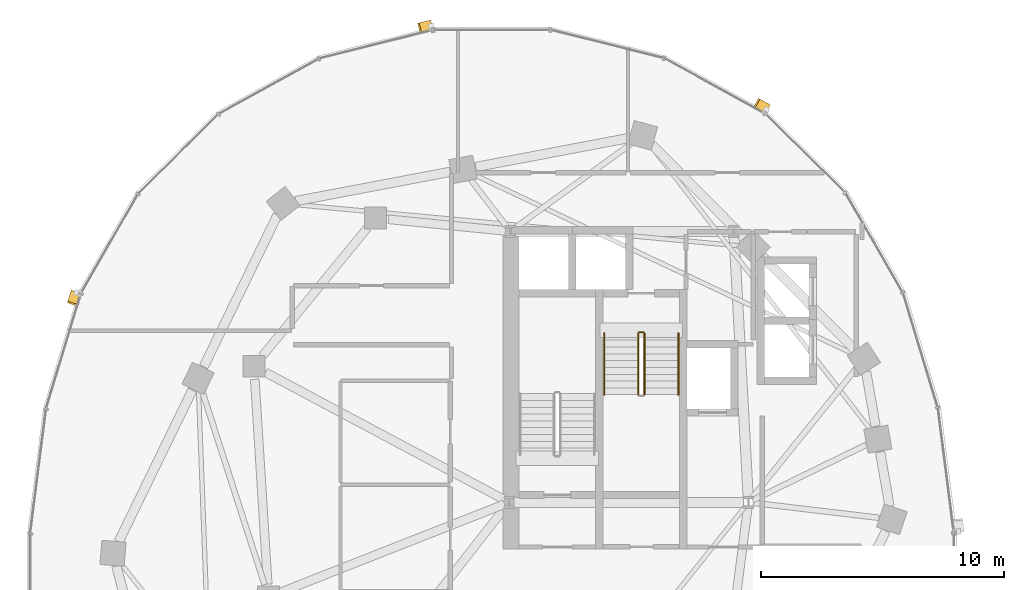
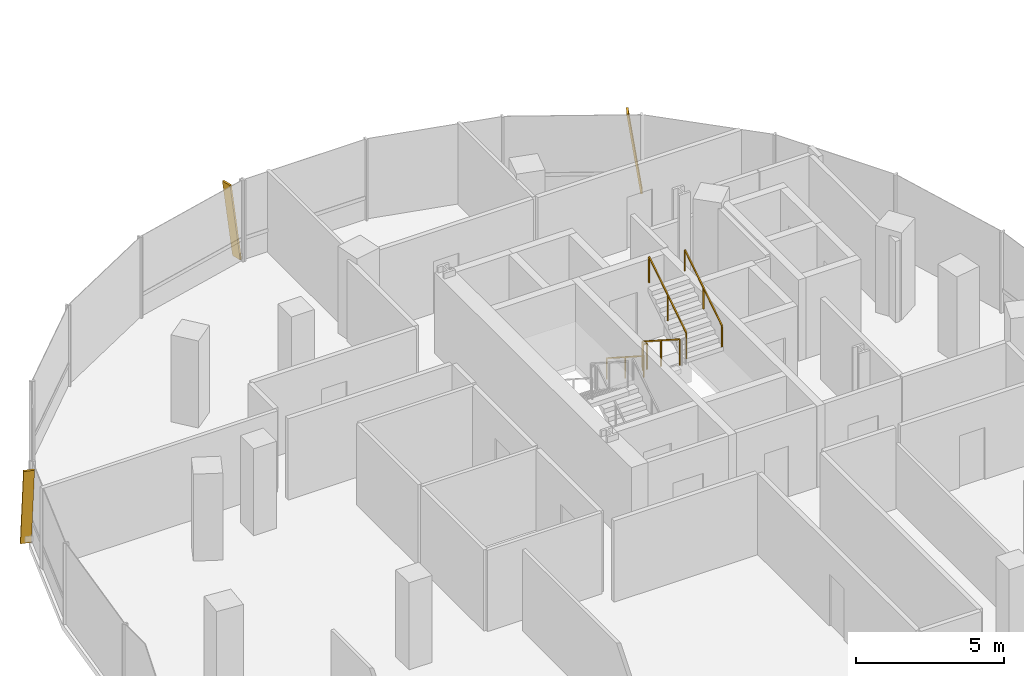
# One storey, part 20 of 22: 5 railings, 3 shading devices.
"""IFC4 building model written with IfcOpenShell, lengths in metres."""

from ifc_helpers import new_model, si_unit, direction, frame, origin, origin_2d, place, context, subcontext, project, spatial, rectangle, extrude, material, material_profile, profile_set, type_object, element, save


model = new_model("IFC4")

# Units and contexts
model_context = context("Model", 3, precision=1e-05, world=origin(), true_north=direction((0.0, 1.0)))
body_context = subcontext(model_context, "Body", "Model", "MODEL_VIEW")
ifc_project = project(units=[si_unit("LENGTHUNIT", "METRE"), si_unit("AREAUNIT", "SQUARE_METRE"), si_unit("VOLUMEUNIT", "CUBIC_METRE"), si_unit("PLANEANGLEUNIT", "RADIAN"), si_unit("MASSUNIT", "GRAM", prefix="KILO"), si_unit("THERMODYNAMICTEMPERATUREUNIT", "KELVIN"), si_unit("POWERUNIT", "WATT")], contexts=[model_context])

# Site, building, storey
site_placement = place(None, origin())
site = spatial("IfcSite", under=ifc_project, at=site_placement, CompositionType="ELEMENT")
building_placement = place(site_placement, origin())
building = spatial("IfcBuilding", under=site, at=building_placement, Name="Cundina Bronze Exchange", CompositionType="ELEMENT")
storey_placement = place(building_placement, frame((0.0, 0.0, 136.800048828125)))
storey = spatial("IfcBuildingStorey", under=building, at=storey_placement, Name="L35", CompositionType="ELEMENT", Elevation=136.800048828125)

# Railings
ifc_material_1 = material(Name="Steel ASTM A36 Painted", Category="steel")
railing_type_1 = type_object("IfcRailingType", Name="RLG-HND-900", PredefinedType="HANDRAIL", material=ifc_material_1)
railing_1_placement = place(storey_placement, frame((-27.389892578125, 10.85009765625, 0.179931640625)))
element("IfcRailing", 1, at=railing_1_placement, inside=storey, type_object=railing_type_1, Name="L35 ST-W2 stair handrail 1", PredefinedType="HANDRAIL", context=body_context, shape_type="SweptSolid", body=[
    extrude(rectangle(XDim=0.048095703125, YDim=0.048095703125, at=origin_2d()), frame((0.0, 0.0, 0.8759765625), z_axis=(0.0, -0.841162588446, 0.540782303519), x_axis=(1.0, 0.0, 0.0)), (0.0, 0.0, 1.0), 2.995849609375),
    extrude(rectangle(XDim=0.0419921875, YDim=0.0419921875, at=origin_2d()), origin(), (0.0, 0.0, 1.0), 0.851806640625),
    extrude(rectangle(XDim=0.0419921875, YDim=0.0419921875, at=origin_2d()), frame((0.0, -1.260009765625, 0.81005859375)), (0.0, 0.0, 1.0), 0.851806640625),
    extrude(rectangle(XDim=0.0419921875, YDim=0.0419921875, at=origin_2d()), frame((0.0, -2.52001953125, 1.6201171875)), (0.0, 0.0, 1.0), 0.851806640625),
])
railing_2_placement = place(storey_placement, frame((-24.330078125, 8.330078125, 1.97998046875)))
element("IfcRailing", 2, at=railing_2_placement, inside=storey, type_object=railing_type_1, Name="L35 ST-W2 stair handrail 2", PredefinedType="HANDRAIL", context=body_context, shape_type="SweptSolid", body=[
    extrude(rectangle(XDim=0.048095703125, YDim=0.048095703125, at=origin_2d()), frame((0.0, 0.0, 0.8759765625), z_axis=(0.0, 0.841199657755, 0.540724639528), x_axis=(-1.0, 0.0, 0.0)), (0.0, 0.0, 1.0), 2.995849609375),
    extrude(rectangle(XDim=0.0419921875, YDim=0.0419921875, at=origin_2d()), origin(), (0.0, 0.0, 1.0), 0.851806640625),
    extrude(rectangle(XDim=0.0419921875, YDim=0.0419921875, at=origin_2d()), frame((0.0, 1.260009765625, 0.81005859375)), (0.0, 0.0, 1.0), 0.851806640625),
    extrude(rectangle(XDim=0.0419921875, YDim=0.0419921875, at=origin_2d()), frame((0.0, 2.52001953125, 1.619873046875)), (0.0, 0.0, 1.0), 0.851806640625),
])
railing_type_2 = type_object("IfcRailingType", Name="RLG-STG-1100", PredefinedType="GUARDRAIL", material=ifc_material_1)
railing_3_placement = place(storey_placement, frame((-25.989990234375, 10.85009765625, 0.179931640625)))
element("IfcRailing", 3, at=railing_3_placement, inside=storey, type_object=railing_type_2, Name="L35 ST-W2 stair guard 1", PredefinedType="GUARDRAIL", context=body_context, shape_type="SweptSolid", body=[
    extrude(rectangle(XDim=0.048095703125, YDim=0.048095703125, at=origin_2d()), frame((0.0, 0.0, 1.076171875), z_axis=(0.0, -0.841162588446, 0.540782303519), x_axis=(1.0, 0.0, 0.0)), (0.0, 0.0, 1.0), 2.995849609375),
    extrude(rectangle(XDim=0.0419921875, YDim=0.0419921875, at=origin_2d()), origin(), (0.0, 0.0, 1.0), 1.052001953125),
    extrude(rectangle(XDim=0.0419921875, YDim=0.0419921875, at=origin_2d()), frame((0.0, -1.260009765625, 0.81005859375)), (0.0, 0.0, 1.0), 1.052001953125),
    extrude(rectangle(XDim=0.0419921875, YDim=0.0419921875, at=origin_2d()), frame((0.0, -2.52001953125, 1.6201171875)), (0.0, 0.0, 1.0), 1.052001953125),
])
railing_4_placement = place(storey_placement, frame((-25.72998046875, 8.330078125, 1.97998046875)))
element("IfcRailing", 4, at=railing_4_placement, inside=storey, type_object=railing_type_2, Name="L35 ST-W2 stair guard 3", PredefinedType="GUARDRAIL", context=body_context, shape_type="SweptSolid", body=[
    extrude(rectangle(XDim=0.048095703125, YDim=0.048095703125, at=origin_2d()), frame((0.0, 0.0, 1.076171875), z_axis=(0.0, 0.841199657755, 0.540724639528), x_axis=(-1.0, 0.0, 0.0)), (0.0, 0.0, 1.0), 2.995849609375),
    extrude(rectangle(XDim=0.0419921875, YDim=0.0419921875, at=origin_2d()), origin(), (0.0, 0.0, 1.0), 1.052001953125),
    extrude(rectangle(XDim=0.0419921875, YDim=0.0419921875, at=origin_2d()), frame((0.0, 1.260009765625, 0.81005859375)), (0.0, 0.0, 1.0), 1.052001953125),
    extrude(rectangle(XDim=0.0419921875, YDim=0.0419921875, at=origin_2d()), frame((0.0, 2.52001953125, 1.619873046875)), (0.0, 0.0, 1.0), 1.052001953125),
])
railing_5_placement = place(storey_placement, frame((-25.93994140625, 10.89990234375, 0.0)))
element("IfcRailing", 5, at=railing_5_placement, inside=storey, type_object=railing_type_2, Name="L35 ST-W2 stair guard 4", PredefinedType="GUARDRAIL", context=body_context, shape_type="SweptSolid", body=[
    extrude(rectangle(XDim=0.048095703125, YDim=0.048095703125, at=origin_2d()), frame((0.0, 0.0, 1.076171875), z_axis=(1.0, 0.0, 0.0), x_axis=(0.0, 1.0, 0.0)), (0.0, 0.0, 1.0), 0.159912109375),
    extrude(rectangle(XDim=0.0419921875, YDim=0.0419921875, at=origin_2d()), origin(), (0.0, 0.0, 1.0), 1.052001953125),
    extrude(rectangle(XDim=0.0419921875, YDim=0.0419921875, at=origin_2d()), frame((0.159912109375, 0.0, 0.0)), (0.0, 0.0, 1.0), 1.052001953125),
])

# Shading devices
ifc_material_2 = material(Name="Anodised Bronze Aluminium 6063-T6", Category="aluminium")
ifc_material_profile = material_profile(ifc_material_2, rectangle(XDim=0.070068359375, YDim=0.3798828125, at=origin_2d()), Name="FIN70X380", Category="aluminium")
ifc_profile_set = profile_set([ifc_material_profile], Name="Anodised Bronze Aluminium 6063-T6")
shading_device_type = type_object("IfcShadingDeviceType", Name="SHD-FIN-BRZ380", PredefinedType="USERDEFINED", material=ifc_profile_set)
for number, where, z_axis, x_axis, name in (
    (6, (-20.679931640625, 20.11181640625, 0.02001953125), (-0.125333488691, 0.068998924088, 0.989712415345), (0.867010347902, -0.477308832643, 0.143071083426), "L35 Diagonal Bronze Solar Fin 5"),
    (7, (-34.51953125, 23.556396484375, 0.02001953125), (-0.138798398751, -0.034717795597, 0.989711917263), (0.960131970194, 0.240158861973, 0.143074528925), "L35 Diagonal Bronze Solar Fin 1"),
    (8, (-49.151123046875, 12.5439453125, 0.02001953125), (-0.041486383227, -0.136977847776, 0.989704980904), (0.286882071994, 0.94721413946, 0.143122502684), "L35 Diagonal Bronze Solar Fin 5"),
):
    element("IfcShadingDevice", number, at=place(storey_placement, frame(where, z_axis=z_axis, x_axis=x_axis)), inside=storey, type_object=shading_device_type, Name=name, ObjectType="FIN", PredefinedType="USERDEFINED", context=body_context, shape_type="SweptSolid", body=[
        extrude(rectangle(XDim=0.070068359375, YDim=0.3798828125, at=origin_2d()), origin(), (0.0, 0.0, 1.0), 3.354248046875),
    ])

save(model, "model.ifc")
